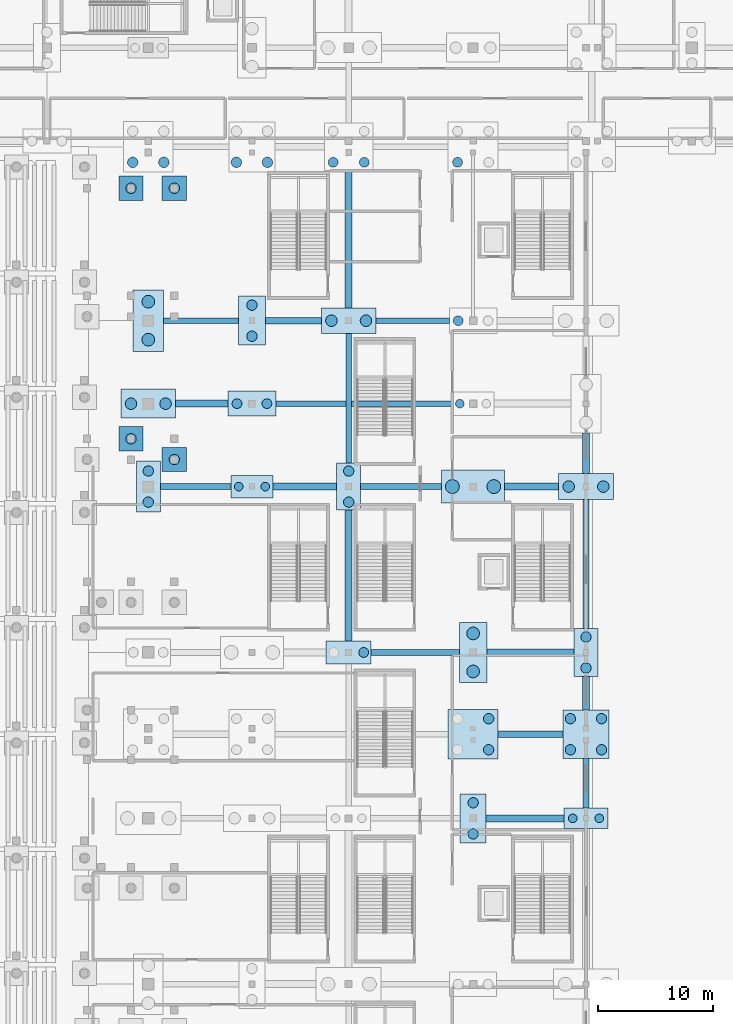
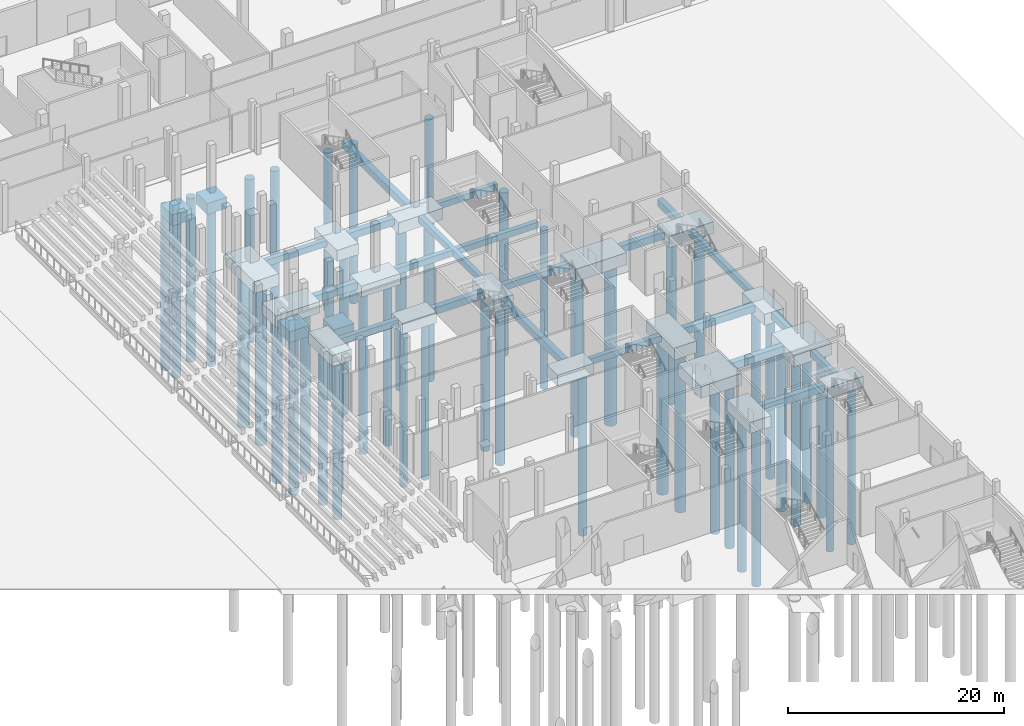
# One storey, part 10 of 89: 48 piles, 41 footings.
"""IFC4 building model written with IfcOpenShell, lengths in metres."""

from ifc_helpers import new_model, si_unit, direction, frame, origin, origin_2d, place, context, subcontext, project, spatial, rectangle, circle, extrude, material, material_profile, profile_set, type_object, element, save


model = new_model("IFC4")

# Units and contexts
model_context = context("Model", 3, precision=1e-05, world=origin(), true_north=direction((0.0, 1.0)))
body_context = subcontext(model_context, "Body", "Model", "MODEL_VIEW")
ifc_project = project(units=[si_unit("LENGTHUNIT", "METRE"), si_unit("AREAUNIT", "SQUARE_METRE"), si_unit("VOLUMEUNIT", "CUBIC_METRE"), si_unit("PLANEANGLEUNIT", "RADIAN"), si_unit("MASSUNIT", "GRAM", prefix="KILO")], contexts=[model_context])

# Site, building, storey
site_placement = place(None, origin())
site = spatial("IfcSite", under=ifc_project, at=site_placement, CompositionType="ELEMENT")
building_placement = place(site_placement, origin())
building = spatial("IfcBuilding", under=site, at=building_placement, Name="Koshinbarg Plaza Stadium", CompositionType="ELEMENT")
storey_placement = place(building_placement, origin())
storey = spatial("IfcBuildingStorey", under=building, at=storey_placement, Name="L00", CompositionType="ELEMENT", Elevation=0.0)

# Footings
ifc_material = material(Name="Concrete C35/45", Category="concrete")
ifc_material_profile_1 = material_profile(ifc_material, rectangle(XDim=0.5, YDim=0.699951171875, at=origin_2d()), Name="GB 500x700")
ifc_profile_set_1 = profile_set([ifc_material_profile_1], Name="Concrete C35/45")
footing_type_1 = type_object("IfcFootingType", Name="FT-GB-01", PredefinedType="FOOTING_BEAM", material=ifc_profile_set_1)
footing_1_placement = place(storey_placement, frame((199.75, 83.10009765625, -0.800048828125), z_axis=(1.0, 0.0, 0.0), x_axis=(0.0, 1.0, 0.0)))
element("IfcFooting", 1, at=footing_1_placement, inside=storey, type_object=footing_type_1, Name="Ground footing beam GB-X-115", PredefinedType="FOOTING_BEAM", context=body_context, shape_type="SweptSolid", body=[
    extrude(rectangle(XDim=0.5, YDim=0.699951171875, at=origin_2d()), origin(), (0.0, 0.0, 1.0), 7.64990234375),
])
footing_2_placement = place(storey_placement, frame((181.43994140625, 97.5, -0.800048828125), z_axis=(1.0, 0.0, 0.0), x_axis=(0.0, 1.0, 0.0)))
element("IfcFooting", 2, at=footing_2_placement, inside=storey, type_object=footing_type_1, Name="Ground footing beam GB-X-123", PredefinedType="FOOTING_BEAM", context=body_context, shape_type="SweptSolid", body=[
    extrude(rectangle(XDim=0.5, YDim=0.699951171875, at=origin_2d()), origin(), (0.0, 0.0, 1.0), 6.130126953125),
])
footing_3_placement = place(storey_placement, frame((198.840087890625, 97.5, -0.800048828125), z_axis=(1.0, 0.0, 0.0), x_axis=(0.0, 1.0, 0.0)))
element("IfcFooting", 3, at=footing_3_placement, inside=storey, type_object=footing_type_1, Name="Ground footing beam GB-X-125", PredefinedType="FOOTING_BEAM", context=body_context, shape_type="SweptSolid", body=[
    extrude(rectangle(XDim=0.5, YDim=0.699951171875, at=origin_2d()), origin(), (0.0, 0.0, 1.0), 7.02001953125),
])
footing_4_placement = place(storey_placement, frame((191.469970703125, 104.699951171875, -0.800048828125), z_axis=(1.0, 0.0, 0.0), x_axis=(0.0, 1.0, 0.0)))
element("IfcFooting", 4, at=footing_4_placement, inside=storey, type_object=footing_type_1, Name="Ground footing beam GB-X-133", PredefinedType="FOOTING_BEAM", context=body_context, shape_type="SweptSolid", body=[
    extrude(rectangle(XDim=0.5, YDim=0.699951171875, at=origin_2d()), origin(), (0.0, 0.0, 1.0), 15.300048828125),
])
footing_5_placement = place(storey_placement, frame((181.719970703125, 111.89990234375, -0.800048828125), z_axis=(1.0, 0.0, 0.0), x_axis=(0.0, 1.0, 0.0)))
element("IfcFooting", 5, at=footing_5_placement, inside=storey, type_object=footing_type_1, Name="Ground footing beam GB-X-141", PredefinedType="FOOTING_BEAM", context=body_context, shape_type="SweptSolid", body=[
    extrude(rectangle(XDim=0.5, YDim=0.699951171875, at=origin_2d()), origin(), (0.0, 0.0, 1.0), 6.52001953125),
])
footing_6_placement = place(storey_placement, frame((200.179931640625, 111.89990234375, -0.800048828125), z_axis=(1.0, 0.0, 0.0), x_axis=(0.0, 1.0, 0.0)))
element("IfcFooting", 6, at=footing_6_placement, inside=storey, type_object=footing_type_1, Name="Ground footing beam GB-X-143", PredefinedType="FOOTING_BEAM", context=body_context, shape_type="SweptSolid", body=[
    extrude(rectangle(XDim=0.5, YDim=0.699951171875, at=origin_2d()), origin(), (0.0, 0.0, 1.0), 6.35009765625),
])
footing_7_placement = place(storey_placement, frame((197.800048828125, 99.550048828125, -0.800048828125), z_axis=(0.0, 1.0, 0.0), x_axis=(-1.0, 0.0, 0.0)))
element("IfcFooting", 7, at=footing_7_placement, inside=storey, type_object=footing_type_1, Name="Ground footing beam GB-Y-249", PredefinedType="FOOTING_BEAM", context=body_context, shape_type="SweptSolid", body=[
    extrude(rectangle(XDim=0.5, YDim=0.699951171875, at=origin_2d()), origin(), (0.0, 0.0, 1.0), 11.25),
])
footing_8_placement = place(storey_placement, frame((218.39990234375, 69.60009765625, -0.800048828125), z_axis=(0.0, 1.0, 0.0), x_axis=(-1.0, 0.0, 0.0)))
element("IfcFooting", 8, at=footing_8_placement, inside=storey, type_object=footing_type_1, Name="Ground footing beam GB-Y-259", PredefinedType="FOOTING_BEAM", context=body_context, shape_type="SweptSolid", body=[
    extrude(rectangle(XDim=0.5, YDim=0.699951171875, at=origin_2d()), origin(), (0.0, 0.0, 1.0), 4.309814453125),
])
footing_9_placement = place(storey_placement, frame((218.39990234375, 85.18994140625, -0.800048828125), z_axis=(0.0, 1.0, 0.0), x_axis=(-1.0, 0.0, 0.0)))
element("IfcFooting", 9, at=footing_9_placement, inside=storey, type_object=footing_type_1, Name="Ground footing beam GB-Y-261", PredefinedType="FOOTING_BEAM", context=body_context, shape_type="SweptSolid", body=[
    extrude(rectangle(XDim=0.5, YDim=0.699951171875, at=origin_2d()), origin(), (0.0, 0.0, 1.0), 11.170166015625),
])
ifc_material_profile_2 = material_profile(ifc_material, rectangle(XDim=0.60009765625, YDim=0.800048828125, at=origin_2d()), Name="GB 600x800")
ifc_profile_set_2 = profile_set([ifc_material_profile_2], Name="Concrete C35/45")
footing_type_2 = type_object("IfcFootingType", Name="FT-GB-02", PredefinedType="FOOTING_BEAM", material=ifc_profile_set_2)
footing_10_placement = place(storey_placement, frame((209.719970703125, 68.699951171875, -0.85009765625), z_axis=(1.0, 0.0, 0.0), x_axis=(0.0, 1.0, 0.0)))
element("IfcFooting", 10, at=footing_10_placement, inside=storey, type_object=footing_type_2, Name="Ground footing beam GB-X-098", PredefinedType="FOOTING_BEAM", context=body_context, shape_type="SweptSolid", body=[
    extrude(rectangle(XDim=0.60009765625, YDim=0.800048828125, at=origin_2d()), origin(), (0.0, 0.0, 1.0), 6.77001953125),
])
footing_11_placement = place(storey_placement, frame((210.760009765625, 76.0, -0.85009765625), z_axis=(1.0, 0.0, 0.0), x_axis=(0.0, 1.0, 0.0)))
element("IfcFooting", 11, at=footing_11_placement, inside=storey, type_object=footing_type_2, Name="Ground footing beam GB-X-106", PredefinedType="FOOTING_BEAM", context=body_context, shape_type="SweptSolid", body=[
    extrude(rectangle(XDim=0.60009765625, YDim=0.800048828125, at=origin_2d()), origin(), (0.0, 0.0, 1.0), 5.639892578125),
])
footing_12_placement = place(storey_placement, frame((209.800048828125, 83.10009765625, -0.85009765625), z_axis=(1.0, 0.0, 0.0), x_axis=(0.0, 1.0, 0.0)))
element("IfcFooting", 12, at=footing_12_placement, inside=storey, type_object=footing_type_2, Name="Ground footing beam GB-X-116", PredefinedType="FOOTING_BEAM", context=body_context, shape_type="SweptSolid", body=[
    extrude(rectangle(XDim=0.60009765625, YDim=0.800048828125, at=origin_2d()), origin(), (0.0, 0.0, 1.0), 7.56005859375),
])
footing_13_placement = place(storey_placement, frame((191.22998046875, 97.5, -0.85009765625), z_axis=(1.0, 0.0, 0.0), x_axis=(0.0, 1.0, 0.0)))
element("IfcFooting", 13, at=footing_13_placement, inside=storey, type_object=footing_type_2, Name="Ground footing beam GB-X-124", PredefinedType="FOOTING_BEAM", context=body_context, shape_type="SweptSolid", body=[
    extrude(rectangle(XDim=0.60009765625, YDim=0.800048828125, at=origin_2d()), origin(), (0.0, 0.0, 1.0), 5.530029296875),
])
footing_14_placement = place(storey_placement, frame((211.340087890625, 97.5, -0.85009765625), z_axis=(1.0, 0.0, 0.0), x_axis=(0.0, 1.0, 0.0)))
element("IfcFooting", 14, at=footing_14_placement, inside=storey, type_object=footing_type_2, Name="Ground footing beam GB-X-126", PredefinedType="FOOTING_BEAM", context=body_context, shape_type="SweptSolid", body=[
    extrude(rectangle(XDim=0.60009765625, YDim=0.800048828125, at=origin_2d()), origin(), (0.0, 0.0, 1.0), 4.679931640625),
])
footing_15_placement = place(storey_placement, frame((182.780029296875, 104.699951171875, -0.85009765625), z_axis=(1.0, 0.0, 0.0), x_axis=(0.0, 1.0, 0.0)))
element("IfcFooting", 15, at=footing_15_placement, inside=storey, type_object=footing_type_2, Name="Ground footing beam GB-X-132", PredefinedType="FOOTING_BEAM", context=body_context, shape_type="SweptSolid", body=[
    extrude(rectangle(XDim=0.60009765625, YDim=0.800048828125, at=origin_2d()), origin(), (0.0, 0.0, 1.0), 4.550048828125),
])
footing_16_placement = place(storey_placement, frame((190.56005859375, 111.89990234375, -0.85009765625), z_axis=(1.0, 0.0, 0.0), x_axis=(0.0, 1.0, 0.0)))
element("IfcFooting", 16, at=footing_16_placement, inside=storey, type_object=footing_type_2, Name="Ground footing beam GB-X-142", PredefinedType="FOOTING_BEAM", context=body_context, shape_type="SweptSolid", body=[
    extrude(rectangle(XDim=0.60009765625, YDim=0.800048828125, at=origin_2d()), origin(), (0.0, 0.0, 1.0), 4.85986328125),
])
footing_17_placement = place(storey_placement, frame((197.800048828125, 84.10009765625, -0.85009765625), z_axis=(0.0, 1.0, 0.0), x_axis=(-1.0, 0.0, 0.0)))
element("IfcFooting", 17, at=footing_17_placement, inside=storey, type_object=footing_type_2, Name="Ground footing beam GB-Y-248", PredefinedType="FOOTING_BEAM", context=body_context, shape_type="SweptSolid", body=[
    extrude(rectangle(XDim=0.60009765625, YDim=0.800048828125, at=origin_2d()), origin(), (0.0, 0.0, 1.0), 11.349853515625),
])
footing_18_placement = place(storey_placement, frame((197.800048828125, 113.0, -0.85009765625), z_axis=(0.0, 1.0, 0.0), x_axis=(-1.0, 0.0, 0.0)))
element("IfcFooting", 18, at=footing_18_placement, inside=storey, type_object=footing_type_2, Name="Ground footing beam GB-Y-250", PredefinedType="FOOTING_BEAM", context=body_context, shape_type="SweptSolid", body=[
    extrude(rectangle(XDim=0.60009765625, YDim=0.800048828125, at=origin_2d()), origin(), (0.0, 0.0, 1.0), 11.949951171875),
])
footing_19_placement = place(storey_placement, frame((218.39990234375, 78.090087890625, -0.85009765625), z_axis=(0.0, 1.0, 0.0), x_axis=(-1.0, 0.0, 0.0)))
element("IfcFooting", 19, at=footing_19_placement, inside=storey, type_object=footing_type_2, Name="Ground footing beam GB-Y-260", PredefinedType="FOOTING_BEAM", context=body_context, shape_type="SweptSolid", body=[
    extrude(rectangle(XDim=0.60009765625, YDim=0.800048828125, at=origin_2d()), origin(), (0.0, 0.0, 1.0), 2.919921875),
])
footing_20_placement = place(storey_placement, frame((218.39990234375, 98.639892578125, -0.85009765625), z_axis=(0.0, 1.0, 0.0), x_axis=(-1.0, 0.0, 0.0)))
element("IfcFooting", 20, at=footing_20_placement, inside=storey, type_object=footing_type_2, Name="Ground footing beam GB-Y-262", PredefinedType="FOOTING_BEAM", context=body_context, shape_type="SweptSolid", body=[
    extrude(rectangle(XDim=0.60009765625, YDim=0.800048828125, at=origin_2d()), origin(), (0.0, 0.0, 1.0), 3.52001953125),
])
footing_type_3 = type_object("IfcFootingType", Name="FT-PC-208x410x125", PredefinedType="PILE_CAP", material=ifc_material)
footing_21_placement = place(storey_placement, frame((197.800048828125, 97.5, -1.699951171875), z_axis=(0.0, 0.0, 1.0), x_axis=(1.0, 0.0, 0.0)))
element("IfcFooting", 21, at=footing_21_placement, inside=storey, type_object=footing_type_3, Name="Bored pile cap CAP-177", PredefinedType="PILE_CAP", context=body_context, shape_type="SweptSolid", body=[
    extrude(rectangle(XDim=2.080078125, YDim=4.10009765625, at=origin_2d()), origin(), (0.0, 0.0, 1.0), 1.25),
])
footing_type_4 = type_object("IfcFootingType", Name="FT-PC-208x418x125", PredefinedType="PILE_CAP", material=ifc_material)
footing_22_placement = place(storey_placement, frame((218.39990234375, 83.10009765625, -1.699951171875), z_axis=(0.0, 0.0, 1.0), x_axis=(1.0, 0.0, 0.0)))
element("IfcFooting", 22, at=footing_22_placement, inside=storey, type_object=footing_type_4, Name="Bored pile cap CAP-207", PredefinedType="PILE_CAP", context=body_context, shape_type="SweptSolid", body=[
    extrude(rectangle(XDim=2.080078125, YDim=4.179931640625, at=origin_2d()), origin(), (0.0, 0.0, 1.0), 1.25),
])
footing_type_5 = type_object("IfcFootingType", Name="FT-PC-208x442x125", PredefinedType="PILE_CAP", material=ifc_material)
footing_23_placement = place(storey_placement, frame((180.39990234375, 97.5, -1.699951171875), z_axis=(0.0, 0.0, 1.0), x_axis=(1.0, 0.0, 0.0)))
element("IfcFooting", 23, at=footing_23_placement, inside=storey, type_object=footing_type_5, Name="Bored pile cap CAP-147", PredefinedType="PILE_CAP", context=body_context, shape_type="SweptSolid", body=[
    extrude(rectangle(XDim=2.080078125, YDim=4.419921875, at=origin_2d()), origin(), (0.0, 0.0, 1.0), 1.25),
])
footing_type_6 = type_object("IfcFootingType", Name="FT-PC-210x210x125", PredefinedType="PILE_CAP", material=ifc_material)
for number, where, z_axis, x_axis, name in (
    (24, (182.659912109375, 99.85009765625, -1.699951171875), (0.0, 0.0, 1.0), (1.0, 0.0, 0.0), "Bowl raker pile cap UT-E06-R-CB"),
    (25, (178.89990234375, 101.64990234375, -1.699951171875), (0.0, 0.0, 1.0), (1.0, 0.0, 0.0), "Bowl raker pile cap UT-E07-L-CM"),
    (26, (178.89990234375, 123.39990234375, -1.699951171875), (0.0, 0.0, 1.0), (1.0, 0.0, 0.0), "Bowl raker pile cap UT-E08-R-CM"),
    (27, (182.659912109375, 123.39990234375, -1.699951171875), (0.0, 0.0, 1.0), (1.0, 0.0, 0.0), "Bowl raker pile cap UT-E08-R-CB"),
):
    element("IfcFooting", number, at=place(storey_placement, frame(where, z_axis=z_axis, x_axis=x_axis)), inside=storey, type_object=footing_type_6, Name=name, PredefinedType="PILE_CAP", context=body_context, shape_type="SweptSolid", body=[
        extrude(rectangle(XDim=2.10009765625, YDim=2.10009765625, at=origin_2d()), origin(), (0.0, 0.0, 1.0), 1.25),
    ])
footing_type_7 = type_object("IfcFootingType", Name="FT-PC-224x426x125", PredefinedType="PILE_CAP", material=ifc_material)
footing_24_placement = place(storey_placement, frame((208.60009765625, 68.699951171875, -1.699951171875), z_axis=(0.0, 0.0, 1.0), x_axis=(1.0, 0.0, 0.0)))
element("IfcFooting", 28, at=footing_24_placement, inside=storey, type_object=footing_type_7, Name="Bored pile cap CAP-189", PredefinedType="PILE_CAP", context=body_context, shape_type="SweptSolid", body=[
    extrude(rectangle(XDim=2.239990234375, YDim=4.260009765625, at=origin_2d()), origin(), (0.0, 0.0, 1.0), 1.25),
])
footing_type_8 = type_object("IfcFootingType", Name="FT-PC-232x426x125", PredefinedType="PILE_CAP", material=ifc_material)
footing_25_placement = place(storey_placement, frame((189.39990234375, 111.89990234375, -1.699951171875), z_axis=(0.0, 0.0, 1.0), x_axis=(1.0, 0.0, 0.0)))
element("IfcFooting", 29, at=footing_25_placement, inside=storey, type_object=footing_type_8, Name="Bored pile cap CAP-165", PredefinedType="PILE_CAP", context=body_context, shape_type="SweptSolid", body=[
    extrude(rectangle(XDim=2.320068359375, YDim=4.260009765625, at=origin_2d()), origin(), (0.0, 0.0, 1.0), 1.25),
])
footing_type_9 = type_object("IfcFootingType", Name="FT-PC-240x524x135", PredefinedType="PILE_CAP", material=ifc_material)
footing_26_placement = place(storey_placement, frame((208.60009765625, 83.10009765625, -1.800048828125), z_axis=(0.0, 0.0, 1.0), x_axis=(1.0, 0.0, 0.0)))
element("IfcFooting", 30, at=footing_26_placement, inside=storey, type_object=footing_type_9, Name="Bored pile cap CAP-191", PredefinedType="PILE_CAP", context=body_context, shape_type="SweptSolid", body=[
    extrude(rectangle(XDim=2.39990234375, YDim=5.239990234375, at=origin_2d()), origin(), (0.0, 0.0, 1.0), 1.35009765625),
])
footing_type_10 = type_object("IfcFootingType", Name="FT-PC-264x532x135", PredefinedType="PILE_CAP", material=ifc_material)
footing_27_placement = place(storey_placement, frame((180.39990234375, 111.89990234375, -1.800048828125), z_axis=(0.0, 0.0, 1.0), x_axis=(1.0, 0.0, 0.0)))
element("IfcFooting", 31, at=footing_27_placement, inside=storey, type_object=footing_type_10, Name="Bored pile cap CAP-149", PredefinedType="PILE_CAP", context=body_context, shape_type="SweptSolid", body=[
    extrude(rectangle(XDim=2.639892578125, YDim=5.320068359375, at=origin_2d()), origin(), (0.0, 0.0, 1.0), 1.35009765625),
])
footing_type_11 = type_object("IfcFootingType", Name="FT-PC-366x196x120", PredefinedType="PILE_CAP", material=ifc_material)
footing_28_placement = place(storey_placement, frame((189.39990234375, 97.5, -1.64990234375), z_axis=(0.0, 0.0, 1.0), x_axis=(1.0, 0.0, 0.0)))
element("IfcFooting", 32, at=footing_28_placement, inside=storey, type_object=footing_type_11, Name="Bored pile cap CAP-163", PredefinedType="PILE_CAP", context=body_context, shape_type="SweptSolid", body=[
    extrude(rectangle(XDim=3.659912109375, YDim=1.9599609375, at=origin_2d()), origin(), (0.0, 0.0, 1.0), 1.199951171875),
])
footing_type_12 = type_object("IfcFootingType", Name="FT-PC-382x180x120", PredefinedType="PILE_CAP", material=ifc_material)
footing_29_placement = place(storey_placement, frame((218.39990234375, 68.699951171875, -1.64990234375), z_axis=(0.0, 0.0, 1.0), x_axis=(1.0, 0.0, 0.0)))
element("IfcFooting", 33, at=footing_29_placement, inside=storey, type_object=footing_type_12, Name="Bored pile cap CAP-205", PredefinedType="PILE_CAP", context=body_context, shape_type="SweptSolid", body=[
    extrude(rectangle(XDim=3.820068359375, YDim=1.800048828125, at=origin_2d()), origin(), (0.0, 0.0, 1.0), 1.199951171875),
])
footing_type_13 = type_object("IfcFootingType", Name="FT-PC-390x200x125", PredefinedType="PILE_CAP", material=ifc_material)
footing_30_placement = place(storey_placement, frame((197.800048828125, 83.10009765625, -1.699951171875), z_axis=(0.0, 0.0, 1.0), x_axis=(1.0, 0.0, 0.0)))
element("IfcFooting", 34, at=footing_30_placement, inside=storey, type_object=footing_type_13, Name="Bored pile cap CAP-176", PredefinedType="PILE_CAP", context=body_context, shape_type="SweptSolid", body=[
    extrude(rectangle(XDim=3.89990234375, YDim=2.0, at=origin_2d()), origin(), (0.0, 0.0, 1.0), 1.25),
])
footing_type_14 = type_object("IfcFootingType", Name="FT-PC-400x418x130", PredefinedType="PILE_CAP", material=ifc_material)
footing_31_placement = place(storey_placement, frame((218.39990234375, 76.0, -1.75), z_axis=(0.0, 0.0, 1.0), x_axis=(1.0, 0.0, 0.0)))
element("IfcFooting", 35, at=footing_31_placement, inside=storey, type_object=footing_type_14, Name="Bored pile cap CAP-206", PredefinedType="PILE_CAP", context=body_context, shape_type="SweptSolid", body=[
    extrude(rectangle(XDim=4.0, YDim=4.179931640625, at=origin_2d()), origin(), (0.0, 0.0, 1.0), 1.300048828125),
])
footing_type_15 = type_object("IfcFootingType", Name="FT-PC-414x216x125", PredefinedType="PILE_CAP", material=ifc_material)
footing_32_placement = place(storey_placement, frame((189.39990234375, 104.699951171875, -1.699951171875), z_axis=(0.0, 0.0, 1.0), x_axis=(1.0, 0.0, 0.0)))
element("IfcFooting", 36, at=footing_32_placement, inside=storey, type_object=footing_type_15, Name="Bored pile cap CAP-164", PredefinedType="PILE_CAP", context=body_context, shape_type="SweptSolid", body=[
    extrude(rectangle(XDim=4.139892578125, YDim=2.159912109375, at=origin_2d()), origin(), (0.0, 0.0, 1.0), 1.25),
])
footing_type_16 = type_object("IfcFootingType", Name="FT-PC-432x426x135", PredefinedType="PILE_CAP", material=ifc_material)
footing_33_placement = place(storey_placement, frame((208.60009765625, 76.0, -1.800048828125), z_axis=(0.0, 0.0, 1.0), x_axis=(1.0, 0.0, 0.0)))
element("IfcFooting", 37, at=footing_33_placement, inside=storey, type_object=footing_type_16, Name="Bored pile cap CAP-190", PredefinedType="PILE_CAP", context=body_context, shape_type="SweptSolid", body=[
    extrude(rectangle(XDim=4.320068359375, YDim=4.260009765625, at=origin_2d()), origin(), (0.0, 0.0, 1.0), 1.35009765625),
])
footing_type_17 = type_object("IfcFootingType", Name="FT-PC-476x220x130", PredefinedType="PILE_CAP", material=ifc_material)
footing_34_placement = place(storey_placement, frame((197.800048828125, 111.89990234375, -1.75), z_axis=(0.0, 0.0, 1.0), x_axis=(1.0, 0.0, 0.0)))
element("IfcFooting", 38, at=footing_34_placement, inside=storey, type_object=footing_type_17, Name="Bored pile cap CAP-178", PredefinedType="PILE_CAP", context=body_context, shape_type="SweptSolid", body=[
    extrude(rectangle(XDim=4.760009765625, YDim=2.199951171875, at=origin_2d()), origin(), (0.0, 0.0, 1.0), 1.300048828125),
])
footing_type_18 = type_object("IfcFootingType", Name="FT-PC-476x228x130", PredefinedType="PILE_CAP", material=ifc_material)
footing_35_placement = place(storey_placement, frame((218.39990234375, 97.5, -1.75), z_axis=(0.0, 0.0, 1.0), x_axis=(1.0, 0.0, 0.0)))
element("IfcFooting", 39, at=footing_35_placement, inside=storey, type_object=footing_type_18, Name="Bored pile cap CAP-208", PredefinedType="PILE_CAP", context=body_context, shape_type="SweptSolid", body=[
    extrude(rectangle(XDim=4.760009765625, YDim=2.280029296875, at=origin_2d()), origin(), (0.0, 0.0, 1.0), 1.300048828125),
])
footing_type_19 = type_object("IfcFootingType", Name="FT-PC-476x252x130", PredefinedType="PILE_CAP", material=ifc_material)
footing_36_placement = place(storey_placement, frame((180.39990234375, 104.699951171875, -1.75), z_axis=(0.0, 0.0, 1.0), x_axis=(1.0, 0.0, 0.0)))
element("IfcFooting", 40, at=footing_36_placement, inside=storey, type_object=footing_type_19, Name="Bored pile cap CAP-148", PredefinedType="PILE_CAP", context=body_context, shape_type="SweptSolid", body=[
    extrude(rectangle(XDim=4.760009765625, YDim=2.52001953125, at=origin_2d()), origin(), (0.0, 0.0, 1.0), 1.300048828125),
])
footing_type_20 = type_object("IfcFootingType", Name="FT-PC-548x284x140", PredefinedType="PILE_CAP", material=ifc_material)
footing_37_placement = place(storey_placement, frame((208.60009765625, 97.5, -1.849853515625), z_axis=(0.0, 0.0, 1.0), x_axis=(1.0, 0.0, 0.0)))
element("IfcFooting", 41, at=footing_37_placement, inside=storey, type_object=footing_type_20, Name="Bored pile cap CAP-192", PredefinedType="PILE_CAP", context=body_context, shape_type="SweptSolid", body=[
    extrude(rectangle(XDim=5.47998046875, YDim=2.840087890625, at=origin_2d()), origin(), (0.0, 0.0, 1.0), 1.39990234375),
])

# Piles
ifc_material_profile_3 = material_profile(ifc_material, circle(Radius=0.5, at=origin_2d()), Name="PILE D1000")
ifc_profile_set_3 = profile_set([ifc_material_profile_3], Name="Concrete C35/45")
pile_type_1 = type_object("IfcPileType", Name="PL-D1000", PredefinedType="BORED", material=ifc_profile_set_3)
for number, where, z_axis, x_axis, name in (
    (42, (178.89990234375, 104.699951171875, -1.64990234375), (0.0, 0.0, -1.0), (1.0, 0.0, 0.0), "Bored pile CAP-148-1"),
    (43, (181.89990234375, 104.699951171875, -1.64990234375), (0.0, 0.0, -1.0), (1.0, 0.0, 0.0), "Bored pile CAP-148-2"),
    (44, (196.300048828125, 111.89990234375, -1.64990234375), (0.0, 0.0, -1.0), (1.0, 0.0, 0.0), "Bored pile CAP-178-1"),
    (45, (199.300048828125, 111.89990234375, -1.64990234375), (0.0, 0.0, -1.0), (1.0, 0.0, 0.0), "Bored pile CAP-178-2"),
    (46, (216.89990234375, 97.5, -1.64990234375), (0.0, 0.0, -1.0), (1.0, 0.0, 0.0), "Bored pile CAP-208-1"),
    (47, (219.89990234375, 97.5, -1.64990234375), (0.0, 0.0, -1.0), (1.0, 0.0, 0.0), "Bored pile CAP-208-2"),
):
    element("IfcPile", number, at=place(storey_placement, frame(where, z_axis=z_axis, x_axis=x_axis)), inside=storey, type_object=pile_type_1, Name=name, PredefinedType="BORED", context=body_context, shape_type="SweptSolid", body=[
        extrude(circle(Radius=0.5, at=origin_2d()), origin(), (0.0, 0.0, 1.0), 18.5),
    ])
ifc_material_profile_4 = material_profile(ifc_material, circle(Radius=0.550048828125, at=origin_2d()), Name="PILE D1100")
ifc_profile_set_4 = profile_set([ifc_material_profile_4], Name="Concrete C35/45")
pile_type_2 = type_object("IfcPileType", Name="PL-D1100", PredefinedType="BORED", material=ifc_profile_set_4)
for number, where, z_axis, x_axis, name in (
    (48, (180.39990234375, 110.25, -1.699951171875), (0.0, 0.0, -1.0), (1.0, 0.0, 0.0), "Bored pile CAP-149-1"),
    (49, (180.39990234375, 113.550048828125, -1.699951171875), (0.0, 0.0, -1.0), (1.0, 0.0, 0.0), "Bored pile CAP-149-2"),
    (50, (208.60009765625, 81.449951171875, -1.699951171875), (0.0, 0.0, -1.0), (1.0, 0.0, 0.0), "Bored pile CAP-191-1"),
    (51, (208.60009765625, 84.75, -1.699951171875), (0.0, 0.0, -1.0), (1.0, 0.0, 0.0), "Bored pile CAP-191-2"),
):
    element("IfcPile", number, at=place(storey_placement, frame(where, z_axis=z_axis, x_axis=x_axis)), inside=storey, type_object=pile_type_2, Name=name, PredefinedType="BORED", context=body_context, shape_type="SweptSolid", body=[
        extrude(circle(Radius=0.550048828125, at=origin_2d()), origin(), (0.0, 0.0, 1.0), 18.0),
    ])
ifc_material_profile_5 = material_profile(ifc_material, circle(Radius=0.60009765625, at=origin_2d()), Name="PILE D1200")
ifc_profile_set_5 = profile_set([ifc_material_profile_5], Name="Concrete C35/45")
pile_type_3 = type_object("IfcPileType", Name="PL-D1200", PredefinedType="BORED", material=ifc_profile_set_5)
for number, where, z_axis, x_axis, name in (
    (52, (206.800048828125, 97.5, -1.75), (0.0, 0.0, -1.0), (1.0, 0.0, 0.0), "Bored pile CAP-192-1"),
    (53, (210.39990234375, 97.5, -1.75), (0.0, 0.0, -1.0), (1.0, 0.0, 0.0), "Bored pile CAP-192-2"),
):
    element("IfcPile", number, at=place(storey_placement, frame(where, z_axis=z_axis, x_axis=x_axis)), inside=storey, type_object=pile_type_3, Name=name, PredefinedType="BORED", context=body_context, shape_type="SweptSolid", body=[
        extrude(circle(Radius=0.60009765625, at=origin_2d()), origin(), (0.0, 0.0, 1.0), 18.5),
    ])
ifc_material_profile_6 = material_profile(ifc_material, circle(Radius=0.375, at=origin_2d()), Name="PILE D750")
ifc_profile_set_6 = profile_set([ifc_material_profile_6], Name="Concrete C35/45")
pile_type_4 = type_object("IfcPileType", Name="PL-D750", PredefinedType="BORED", material=ifc_profile_set_6)
for number, where, z_axis, x_axis, name in (
    (54, (188.25, 97.5, -1.550048828125), (0.0, 0.0, -1.0), (1.0, 0.0, 0.0), "Bored pile CAP-163-1"),
    (55, (190.550048828125, 97.5, -1.550048828125), (0.0, 0.0, -1.0), (1.0, 0.0, 0.0), "Bored pile CAP-163-2"),
    (56, (207.449951171875, 104.699951171875, -1.550048828125), (0.0, 0.0, -1.0), (1.0, 0.0, 0.0), "Bored pile CAP-193-1"),
    (57, (217.25, 68.699951171875, -1.550048828125), (0.0, 0.0, -1.0), (1.0, 0.0, 0.0), "Bored pile CAP-205-1"),
    (58, (219.550048828125, 68.699951171875, -1.550048828125), (0.0, 0.0, -1.0), (1.0, 0.0, 0.0), "Bored pile CAP-205-2"),
):
    element("IfcPile", number, at=place(storey_placement, frame(where, z_axis=z_axis, x_axis=x_axis)), inside=storey, type_object=pile_type_4, Name=name, PredefinedType="BORED", context=body_context, shape_type="SweptSolid", body=[
        extrude(circle(Radius=0.375, at=origin_2d()), origin(), (0.0, 0.0, 1.0), 18.0),
    ])
ifc_material_profile_7 = material_profile(ifc_material, circle(Radius=0.425048828125, at=origin_2d()), Name="PILE D850")
ifc_profile_set_7 = profile_set([ifc_material_profile_7], Name="Concrete C35/45")
pile_type_5 = type_object("IfcPileType", Name="PL-D850", PredefinedType="BORED", material=ifc_profile_set_7)
for number, where, z_axis, x_axis, name in (
    (59, (188.10009765625, 104.699951171875, -1.60009765625), (0.0, 0.0, -1.0), (1.0, 0.0, 0.0), "Bored pile CAP-164-1"),
    (60, (190.699951171875, 104.699951171875, -1.60009765625), (0.0, 0.0, -1.0), (1.0, 0.0, 0.0), "Bored pile CAP-164-2"),
    (61, (199.10009765625, 83.10009765625, -1.60009765625), (0.0, 0.0, -1.0), (1.0, 0.0, 0.0), "Bored pile CAP-176-2"),
):
    element("IfcPile", number, at=place(storey_placement, frame(where, z_axis=z_axis, x_axis=x_axis)), inside=storey, type_object=pile_type_5, Name=name, PredefinedType="BORED", context=body_context, shape_type="SweptSolid", body=[
        extrude(circle(Radius=0.425048828125, at=origin_2d()), origin(), (0.0, 0.0, 1.0), 18.5),
    ])
for number, where, z_axis, x_axis, name in (
    (62, (196.449951171875, 125.64990234375, -1.64990234375), (0.0, 0.0, -1.0), (1.0, 0.0, 0.0), "Bored pile CAP-179-1"),
    (63, (199.14990234375, 125.64990234375, -1.64990234375), (0.0, 0.0, -1.0), (1.0, 0.0, 0.0), "Bored pile CAP-179-2"),
):
    element("IfcPile", number, at=place(storey_placement, frame(where, z_axis=z_axis, x_axis=x_axis)), inside=storey, type_object=pile_type_5, Name=name, PredefinedType="BORED", context=body_context, shape_type="SweptSolid", body=[
        extrude(circle(Radius=0.425048828125, at=origin_2d()), origin(), (0.0, 0.0, 1.0), 18.0),
    ])
pile_1_placement = place(storey_placement, frame((207.300048828125, 111.89990234375, -1.60009765625), z_axis=(0.0, 0.0, -1.0), x_axis=(1.0, 0.0, 0.0)))
element("IfcPile", 64, at=pile_1_placement, inside=storey, type_object=pile_type_5, Name="Bored pile CAP-194-1", PredefinedType="BORED", context=body_context, shape_type="SweptSolid", body=[
    extrude(circle(Radius=0.425048828125, at=origin_2d()), origin(), (0.0, 0.0, 1.0), 18.5),
])
pile_2_placement = place(storey_placement, frame((207.25, 125.64990234375, -1.64990234375), z_axis=(0.0, 0.0, -1.0), x_axis=(1.0, 0.0, 0.0)))
element("IfcPile", 65, at=pile_2_placement, inside=storey, type_object=pile_type_5, Name="Bored pile CAP-195-1", PredefinedType="BORED", context=body_context, shape_type="SweptSolid", body=[
    extrude(circle(Radius=0.425048828125, at=origin_2d()), origin(), (0.0, 0.0, 1.0), 18.0),
])
ifc_material_profile_8 = material_profile(ifc_material, circle(Radius=0.449951171875, at=origin_2d()), Name="PILE D900")
ifc_profile_set_8 = profile_set([ifc_material_profile_8], Name="Concrete C35/45")
pile_type_6 = type_object("IfcPileType", Name="PL-D900", PredefinedType="BORED", material=ifc_profile_set_8)
for number, where, z_axis, x_axis, name in (
    (66, (180.39990234375, 96.14990234375, -1.60009765625), (0.0, 0.0, -1.0), (1.0, 0.0, 0.0), "Bored pile CAP-147-1"),
    (67, (180.39990234375, 98.85009765625, -1.60009765625), (0.0, 0.0, -1.0), (1.0, 0.0, 0.0), "Bored pile CAP-147-2"),
):
    element("IfcPile", number, at=place(storey_placement, frame(where, z_axis=z_axis, x_axis=x_axis)), inside=storey, type_object=pile_type_6, Name=name, PredefinedType="BORED", context=body_context, shape_type="SweptSolid", body=[
        extrude(circle(Radius=0.449951171875, at=origin_2d()), origin(), (0.0, 0.0, 1.0), 18.0),
    ])
for number, where, z_axis, x_axis, name in (
    (68, (179.050048828125, 125.64990234375, -1.64990234375), (0.0, 0.0, -1.0), (1.0, 0.0, 0.0), "Bored pile CAP-150-1"),
    (69, (181.75, 125.64990234375, -1.64990234375), (0.0, 0.0, -1.0), (1.0, 0.0, 0.0), "Bored pile CAP-150-2"),
):
    element("IfcPile", number, at=place(storey_placement, frame(where, z_axis=z_axis, x_axis=x_axis)), inside=storey, type_object=pile_type_6, Name=name, PredefinedType="BORED", context=body_context, shape_type="SweptSolid", body=[
        extrude(circle(Radius=0.449951171875, at=origin_2d()), origin(), (0.0, 0.0, 1.0), 18.5),
    ])
for number, where, z_axis, x_axis, name in (
    (70, (189.39990234375, 110.550048828125, -1.60009765625), (0.0, 0.0, -1.0), (1.0, 0.0, 0.0), "Bored pile CAP-165-1"),
    (71, (189.39990234375, 113.25, -1.60009765625), (0.0, 0.0, -1.0), (1.0, 0.0, 0.0), "Bored pile CAP-165-2"),
):
    element("IfcPile", number, at=place(storey_placement, frame(where, z_axis=z_axis, x_axis=x_axis)), inside=storey, type_object=pile_type_6, Name=name, PredefinedType="BORED", context=body_context, shape_type="SweptSolid", body=[
        extrude(circle(Radius=0.449951171875, at=origin_2d()), origin(), (0.0, 0.0, 1.0), 18.0),
    ])
for number, where, z_axis, x_axis, name in (
    (72, (188.050048828125, 125.64990234375, -1.699951171875), (0.0, 0.0, -1.0), (1.0, 0.0, 0.0), "Bored pile CAP-166-1"),
    (73, (190.75, 125.64990234375, -1.699951171875), (0.0, 0.0, -1.0), (1.0, 0.0, 0.0), "Bored pile CAP-166-2"),
):
    element("IfcPile", number, at=place(storey_placement, frame(where, z_axis=z_axis, x_axis=x_axis)), inside=storey, type_object=pile_type_6, Name=name, PredefinedType="BORED", context=body_context, shape_type="SweptSolid", body=[
        extrude(circle(Radius=0.449951171875, at=origin_2d()), origin(), (0.0, 0.0, 1.0), 18.5),
    ])
for number, where, z_axis, x_axis, name in (
    (74, (197.800048828125, 96.14990234375, -1.60009765625), (0.0, 0.0, -1.0), (1.0, 0.0, 0.0), "Bored pile CAP-177-1"),
    (75, (197.800048828125, 98.85009765625, -1.60009765625), (0.0, 0.0, -1.0), (1.0, 0.0, 0.0), "Bored pile CAP-177-2"),
    (76, (208.60009765625, 67.35009765625, -1.60009765625), (0.0, 0.0, -1.0), (1.0, 0.0, 0.0), "Bored pile CAP-189-1"),
    (77, (208.60009765625, 70.050048828125, -1.60009765625), (0.0, 0.0, -1.0), (1.0, 0.0, 0.0), "Bored pile CAP-189-2"),
):
    element("IfcPile", number, at=place(storey_placement, frame(where, z_axis=z_axis, x_axis=x_axis)), inside=storey, type_object=pile_type_6, Name=name, PredefinedType="BORED", context=body_context, shape_type="SweptSolid", body=[
        extrude(circle(Radius=0.449951171875, at=origin_2d()), origin(), (0.0, 0.0, 1.0), 18.0),
    ])
for number, where, z_axis, x_axis, name in (
    (78, (209.949951171875, 74.64990234375, -1.699951171875), (0.0, 0.0, -1.0), (1.0, 0.0, 0.0), "Bored pile CAP-190-2"),
    (79, (209.949951171875, 77.35009765625, -1.699951171875), (0.0, 0.0, -1.0), (1.0, 0.0, 0.0), "Bored pile CAP-190-4"),
    (80, (217.050048828125, 74.64990234375, -1.64990234375), (0.0, 0.0, -1.0), (1.0, 0.0, 0.0), "Bored pile CAP-206-1"),
    (81, (219.75, 74.64990234375, -1.64990234375), (0.0, 0.0, -1.0), (1.0, 0.0, 0.0), "Bored pile CAP-206-2"),
    (82, (217.050048828125, 77.35009765625, -1.64990234375), (0.0, 0.0, -1.0), (1.0, 0.0, 0.0), "Bored pile CAP-206-3"),
    (83, (219.75, 77.35009765625, -1.64990234375), (0.0, 0.0, -1.0), (1.0, 0.0, 0.0), "Bored pile CAP-206-4"),
):
    element("IfcPile", number, at=place(storey_placement, frame(where, z_axis=z_axis, x_axis=x_axis)), inside=storey, type_object=pile_type_6, Name=name, PredefinedType="BORED", context=body_context, shape_type="SweptSolid", body=[
        extrude(circle(Radius=0.449951171875, at=origin_2d()), origin(), (0.0, 0.0, 1.0), 18.5),
    ])
for number, where, z_axis, x_axis, name in (
    (84, (218.39990234375, 81.75, -1.60009765625), (0.0, 0.0, -1.0), (1.0, 0.0, 0.0), "Bored pile CAP-207-1"),
    (85, (218.39990234375, 84.449951171875, -1.60009765625), (0.0, 0.0, -1.0), (1.0, 0.0, 0.0), "Bored pile CAP-207-2"),
    (86, (182.659912109375, 99.85009765625, -1.60009765625), (0.0, 0.0, -1.0), (1.0, 0.0, 0.0), "Bowl raker bored pile UT-E06-R-CB"),
    (87, (178.89990234375, 101.64990234375, -1.60009765625), (0.0, 0.0, -1.0), (1.0, 0.0, 0.0), "Bowl raker bored pile UT-E07-L-CM"),
    (88, (178.89990234375, 123.39990234375, -1.60009765625), (0.0, 0.0, -1.0), (1.0, 0.0, 0.0), "Bowl raker bored pile UT-E08-R-CM"),
    (89, (182.659912109375, 123.39990234375, -1.60009765625), (0.0, 0.0, -1.0), (1.0, 0.0, 0.0), "Bowl raker bored pile UT-E08-R-CB"),
):
    element("IfcPile", number, at=place(storey_placement, frame(where, z_axis=z_axis, x_axis=x_axis)), inside=storey, type_object=pile_type_6, Name=name, PredefinedType="BORED", context=body_context, shape_type="SweptSolid", body=[
        extrude(circle(Radius=0.449951171875, at=origin_2d()), origin(), (0.0, 0.0, 1.0), 18.0),
    ])

save(model, "model.ifc")
